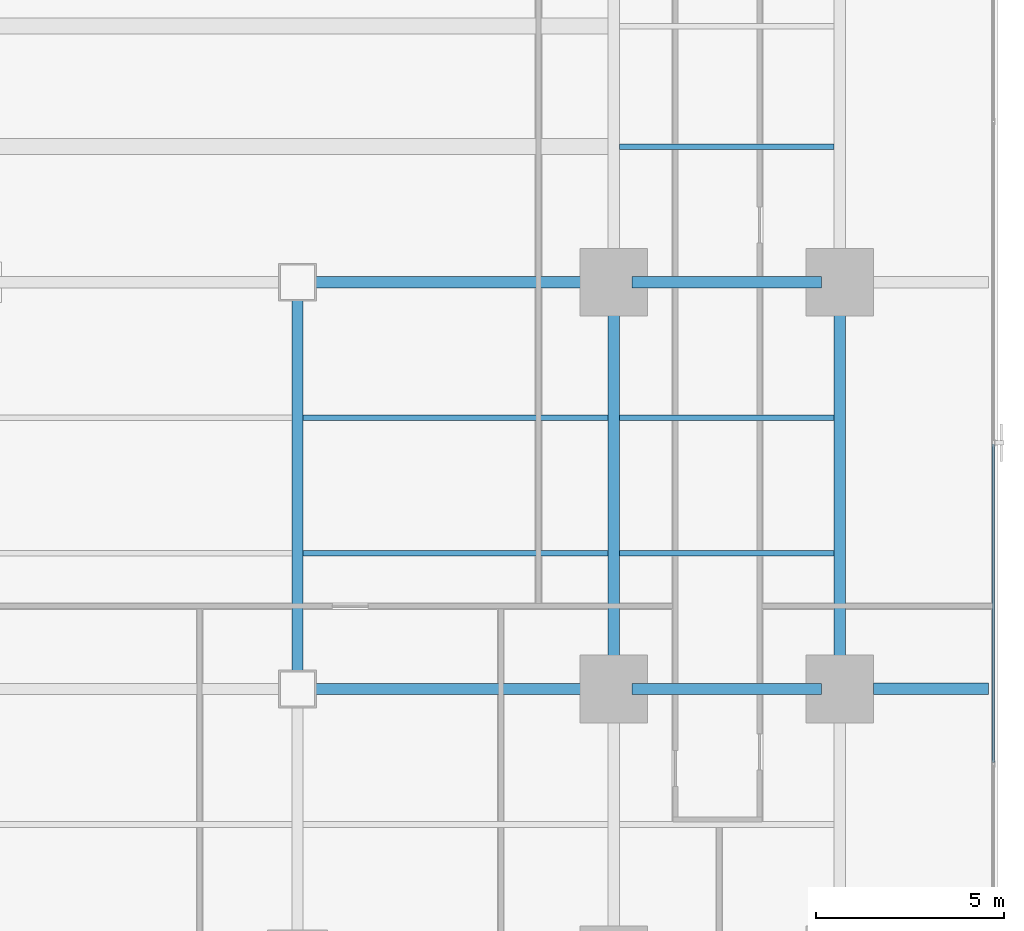
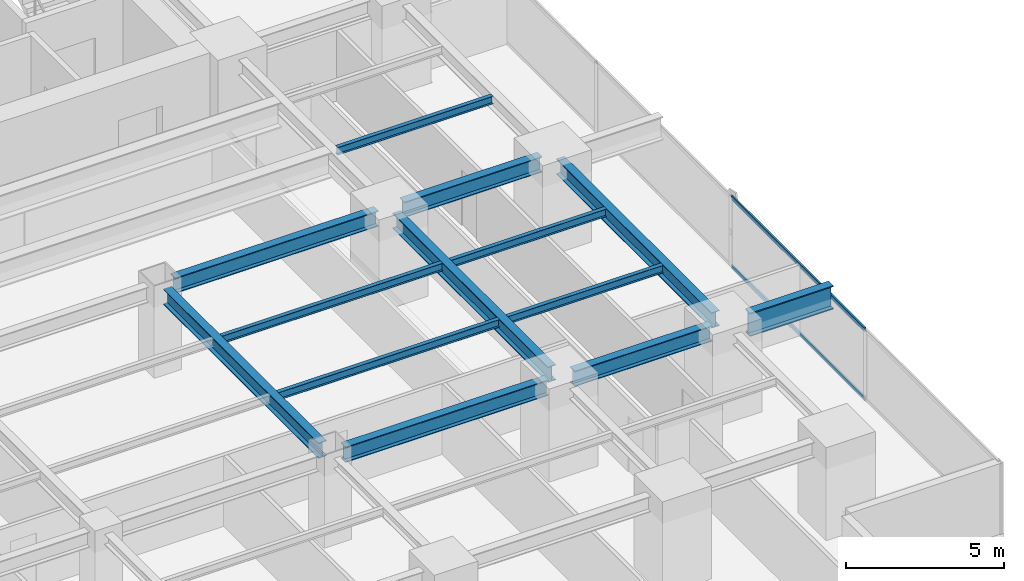
# One storey, part 14 of 34: 13 beams, 2 members, 1 element without a shape of its own.
"""IFC4 building model written with IfcOpenShell, lengths in metres."""

from ifc_helpers import new_model, si_unit, direction, frame, origin, origin_2d, place, context, subcontext, project, spatial, hollow_rectangle, i_section, extrude, source, transform, mapped, material, layer, layer_set, material_profile, profile_set, type_object, element, aggregate, save


model = new_model("IFC4")

# Units and contexts
model_context = context("Model", 3, precision=1e-05, world=origin(), true_north=direction((0.0, 1.0)))
body_context = subcontext(model_context, "Body", "Model", "MODEL_VIEW")
ifc_project = project(units=[si_unit("LENGTHUNIT", "METRE"), si_unit("AREAUNIT", "SQUARE_METRE"), si_unit("VOLUMEUNIT", "CUBIC_METRE"), si_unit("PLANEANGLEUNIT", "RADIAN"), si_unit("MASSUNIT", "GRAM", prefix="KILO")], contexts=[model_context])

# Site, building, storey
site_placement = place(None, origin())
site = spatial("IfcSite", under=ifc_project, at=site_placement, CompositionType="ELEMENT")
building_placement = place(site_placement, origin())
building = spatial("IfcBuilding", under=site, at=building_placement, Name="Sumidabori Civic Tower", CompositionType="ELEMENT")
storey_placement = place(building_placement, frame((0.0, 0.0, 34.39990234375)))
storey = spatial("IfcBuildingStorey", under=building, at=storey_placement, Name="L08", CompositionType="ELEMENT", Elevation=34.39990234375)

# Beams
ifc_material_1 = material(Name="Steel SN490", Category="steel")
ifc_material_profile_1 = material_profile(ifc_material_1, i_section(OverallWidth=0.300048828125, OverallDepth=0.60009765625, WebThickness=0.015380859375, FlangeThickness=0.030029296875, at=origin_2d()), Name="HE 600 B")
ifc_profile_set_1 = profile_set([ifc_material_profile_1], Name="Steel SN490")
beam_type_1 = type_object("IfcBeamType", Name="BM-GIRD-600", PredefinedType="BEAM", material=ifc_profile_set_1)
shared_shape_1 = source(origin(), body_context, "Body", "SweptSolid", [
    extrude(i_section(OverallWidth=0.300048828125, OverallDepth=0.60009765625, WebThickness=0.015380859375, FlangeThickness=0.030029296875, at=origin_2d()), origin(), (0.0, 0.0, 1.0), 5.0400390625),
])
for number, where, z_axis, x_axis, name in (
    (1, (17.280029296875, -10.800048828125, 3.06005859375), (1.0, 0.0, 0.0), (0.0, 1.0, 0.0), "Primary Girder L08 GX-12"),
    (2, (17.280029296875, 0.0, 3.06005859375), (1.0, 0.0, 0.0), (0.0, 1.0, 0.0), "Primary Girder L08 GX-18"),
):
    element("IfcBeam", number, at=place(storey_placement, frame(where, z_axis=z_axis, x_axis=x_axis)), inside=storey, type_object=beam_type_1, Name=name, PredefinedType="BEAM", context=body_context, shape_type="MappedRepresentation", body=[
        mapped(shared_shape_1, transform((0.0, 0.0, 0.0), x_axis=(1.0, 0.0, 0.0), y_axis=(0.0, 1.0, 0.0), z_axis=(0.0, 0.0, 1.0), scale=1.0)),
    ])
shared_shape_2 = source(origin(), body_context, "Body", "SweptSolid", [
    extrude(i_section(OverallWidth=0.300048828125, OverallDepth=0.60009765625, WebThickness=0.015380859375, FlangeThickness=0.030029296875, at=origin_2d()), origin(), (0.0, 0.0, 1.0), 7.440185546875),
])
for number, where, z_axis, x_axis, name in (
    (3, (8.8798828125, -10.800048828125, 3.06005859375), (1.0, 0.0, 0.0), (0.0, 1.0, 0.0), "Primary Girder L08 GX-11"),
    (4, (8.8798828125, 0.0, 3.06005859375), (1.0, 0.0, 0.0), (0.0, 1.0, 0.0), "Primary Girder L08 GX-17"),
):
    element("IfcBeam", number, at=place(storey_placement, frame(where, z_axis=z_axis, x_axis=x_axis)), inside=storey, type_object=beam_type_1, Name=name, PredefinedType="BEAM", context=body_context, shape_type="MappedRepresentation", body=[
        mapped(shared_shape_2, transform((0.0, 0.0, 0.0), x_axis=(1.0, 0.0, 0.0), y_axis=(0.0, 1.0, 0.0), z_axis=(0.0, 0.0, 1.0), scale=1.0)),
    ])
shared_shape_3 = source(origin(), body_context, "Body", "SweptSolid", [
    extrude(i_section(OverallWidth=0.300048828125, OverallDepth=0.60009765625, WebThickness=0.015380859375, FlangeThickness=0.030029296875, at=origin_2d()), origin(), (0.0, 0.0, 1.0), 9.840087890625),
])
for number, where, z_axis, x_axis, name in (
    (5, (8.39990234375, -10.320068359375, 3.06005859375), (0.0, 1.0, 0.0), (-1.0, 0.0, 0.0), "Primary Girder L08 GY-34"),
    (6, (16.800048828125, -10.320068359375, 3.06005859375), (0.0, 1.0, 0.0), (-1.0, 0.0, 0.0), "Primary Girder L08 GY-36"),
    (7, (22.800048828125, -10.320068359375, 3.06005859375), (0.0, 1.0, 0.0), (-1.0, 0.0, 0.0), "Primary Girder L08 GY-40"),
):
    element("IfcBeam", number, at=place(storey_placement, frame(where, z_axis=z_axis, x_axis=x_axis)), inside=storey, type_object=beam_type_1, Name=name, PredefinedType="BEAM", context=body_context, shape_type="MappedRepresentation", body=[
        mapped(shared_shape_3, transform((0.0, 0.0, 0.0), x_axis=(1.0, 0.0, 0.0), y_axis=(0.0, 1.0, 0.0), z_axis=(0.0, 0.0, 1.0), scale=1.0)),
    ])
ifc_material_profile_2 = material_profile(ifc_material_1, i_section(OverallWidth=0.302001953125, OverallDepth=0.909912109375, WebThickness=0.02099609375, FlangeThickness=0.0400390625, at=origin_2d()), Name="HE 900 M")
ifc_profile_set_2 = profile_set([ifc_material_profile_2], Name="Steel SN490")
beam_type_2 = type_object("IfcBeamType", Name="BM-Z1-EDGE", PredefinedType="SPANDREL", material=ifc_profile_set_2)
shared_shape_4 = source(origin(), body_context, "Body", "SweptSolid", [
    extrude(i_section(OverallWidth=0.302001953125, OverallDepth=0.909912109375, WebThickness=0.02099609375, FlangeThickness=0.0400390625, at=origin_2d()), origin(), (0.0, 0.0, 1.0), 3.050048828125),
])
beam_placement = place(storey_placement, frame((23.699951171875, -10.800048828125, 2.905029296875), z_axis=(1.0, 0.0, 0.0), x_axis=(0.0, 1.0, 0.0)))
element("IfcBeam", 8, at=beam_placement, inside=storey, type_object=beam_type_2, Name="Perimeter Overhang Beam L08 E-43", PredefinedType="SPANDREL", context=body_context, shape_type="MappedRepresentation", body=[
    mapped(shared_shape_4, transform((0.0, 0.0, 0.0), x_axis=(1.0, 0.0, 0.0), y_axis=(0.0, 1.0, 0.0), z_axis=(0.0, 0.0, 1.0), scale=1.0)),
])
ifc_material_profile_3 = material_profile(ifc_material_1, i_section(OverallWidth=0.14990234375, OverallDepth=0.300048828125, WebThickness=0.007080078125, FlangeThickness=0.0107421875, at=origin_2d()), Name="IPE 300")
ifc_profile_set_3 = profile_set([ifc_material_profile_3], Name="Steel SN490")
beam_type_3 = type_object("IfcBeamType", Name="BM-JST-300", PredefinedType="JOIST", material=ifc_profile_set_3)
shared_shape_5 = source(origin(), body_context, "Body", "SweptSolid", [
    extrude(i_section(OverallWidth=0.14990234375, OverallDepth=0.300048828125, WebThickness=0.007080078125, FlangeThickness=0.0107421875, at=origin_2d()), origin(), (0.0, 0.0, 1.0), 5.699951171875),
])
for number, where, z_axis, x_axis, name in (
    (9, (16.949951171875, -7.199951171875, 3.210205078125), (1.0, 0.0, 0.0), (0.0, 1.0, 0.0), "Outer Bay Floor Joist L08 JSTO-50"),
    (10, (16.949951171875, -3.60009765625, 3.210205078125), (1.0, 0.0, 0.0), (0.0, 1.0, 0.0), "Outer Bay Floor Joist L08 JSTO-52"),
    (11, (16.949951171875, 3.60009765625, 3.210205078125), (1.0, 0.0, 0.0), (0.0, 1.0, 0.0), "Outer Bay Floor Joist L08 JSTO-54"),
):
    element("IfcBeam", number, at=place(storey_placement, frame(where, z_axis=z_axis, x_axis=x_axis)), inside=storey, type_object=beam_type_3, Name=name, PredefinedType="JOIST", context=body_context, shape_type="MappedRepresentation", body=[
        mapped(shared_shape_5, transform((0.0, 0.0, 0.0), x_axis=(1.0, 0.0, 0.0), y_axis=(0.0, 1.0, 0.0), z_axis=(0.0, 0.0, 1.0), scale=1.0)),
    ])
shared_shape_6 = source(origin(), body_context, "Body", "SweptSolid", [
    extrude(i_section(OverallWidth=0.14990234375, OverallDepth=0.300048828125, WebThickness=0.007080078125, FlangeThickness=0.0107421875, at=origin_2d()), origin(), (0.0, 0.0, 1.0), 8.099853515625),
])
for number, where, z_axis, x_axis, name in (
    (12, (8.550048828125, -7.199951171875, 3.210205078125), (1.0, 0.0, 0.0), (0.0, 1.0, 0.0), "South Bay Floor Joist L08 JSTS-68"),
    (13, (8.550048828125, -3.60009765625, 3.210205078125), (1.0, 0.0, 0.0), (0.0, 1.0, 0.0), "South Bay Floor Joist L08 JSTS-72"),
):
    element("IfcBeam", number, at=place(storey_placement, frame(where, z_axis=z_axis, x_axis=x_axis)), inside=storey, type_object=beam_type_3, Name=name, PredefinedType="JOIST", context=body_context, shape_type="MappedRepresentation", body=[
        mapped(shared_shape_6, transform((0.0, 0.0, 0.0), x_axis=(1.0, 0.0, 0.0), y_axis=(0.0, 1.0, 0.0), z_axis=(0.0, 0.0, 1.0), scale=1.0)),
    ])

# Curtain wall, members
ifc_material_2 = material(Name="Anodised Bronze Aluminium AW-6063-T6", Category="aluminium")
ifc_layer = layer(ifc_material_2, 0.179931640625, Name="Anodised Bronze Aluminium AW-6063-T6")
ifc_layer_set = layer_set([ifc_layer], Name="Anodised Bronze Aluminium AW-6063-T6")
curtain_wall_type = type_object("IfcCurtainWallType", Name="CW-SYS-2", PredefinedType="NOTDEFINED", material=ifc_layer_set)
curtain_wall_placement = place(storey_placement, origin())
curtain_wall = element("IfcCurtainWall", 14, at=curtain_wall_placement, inside=storey, type_object=curtain_wall_type, Name="Curtain Wall CW:L08:R04", PredefinedType="NOTDEFINED")
ifc_material_profile_4 = material_profile(ifc_material_2, hollow_rectangle(XDim=0.06494140625, YDim=0.14990234375, WallThickness=0.0048828125, at=origin_2d()), Name="ALU TRANSOM 150x65")
ifc_profile_set_4 = profile_set([ifc_material_profile_4], Name="Anodised Bronze Aluminium AW-6063-T6")
member_type = type_object("IfcMemberType", Name="CW-TRN-150", PredefinedType="USERDEFINED", material=ifc_profile_set_4)
shared_shape_7 = source(origin(), body_context, "Body", "SweptSolid", [
    extrude(hollow_rectangle(XDim=0.06494140625, YDim=0.14990234375, WallThickness=0.0048828125, at=origin_2d()), origin(), (0.0, 0.0, 1.0), 8.4580078125),
])
member_1_placement = place(storey_placement, frame((26.8798828125, -12.757080078125, 0.03271484375), z_axis=(0.0, 1.0, 0.0), x_axis=(-1.0, 0.0, 0.0)))
member_1 = element("IfcMember", 15, at=member_1_placement, type_object=member_type, Name="CW-2 transom 2.1", ObjectType="TRANSOM", PredefinedType="USERDEFINED", context=body_context, shape_type="MappedRepresentation", body=[
    mapped(shared_shape_7, transform((0.0, 0.0, 0.0), x_axis=(1.0, 0.0, 0.0), y_axis=(0.0, 1.0, 0.0), z_axis=(0.0, 0.0, 1.0), scale=1.0)),
])
member_2_placement = place(storey_placement, frame((26.8798828125, -12.757080078125, 2.70751953125), z_axis=(0.0, 1.0, 0.0), x_axis=(-1.0, 0.0, 0.0)))
member_2 = element("IfcMember", 16, at=member_2_placement, type_object=member_type, Name="CW-2 transom 2.2", ObjectType="TRANSOM", PredefinedType="USERDEFINED", context=body_context, shape_type="MappedRepresentation", body=[
    mapped(shared_shape_7, transform((0.0, 0.0, 0.0), x_axis=(1.0, 0.0, 0.0), y_axis=(0.0, 1.0, 0.0), z_axis=(0.0, 0.0, 1.0), scale=1.0)),
])
aggregate(curtain_wall, [member_1, member_2])

save(model, "model.ifc")
